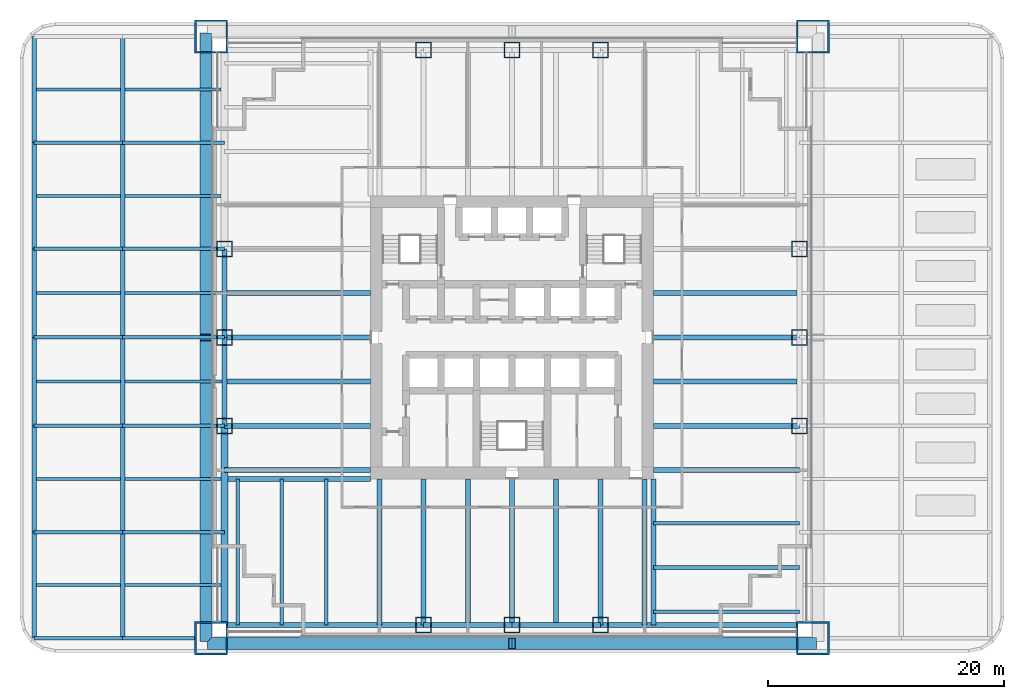
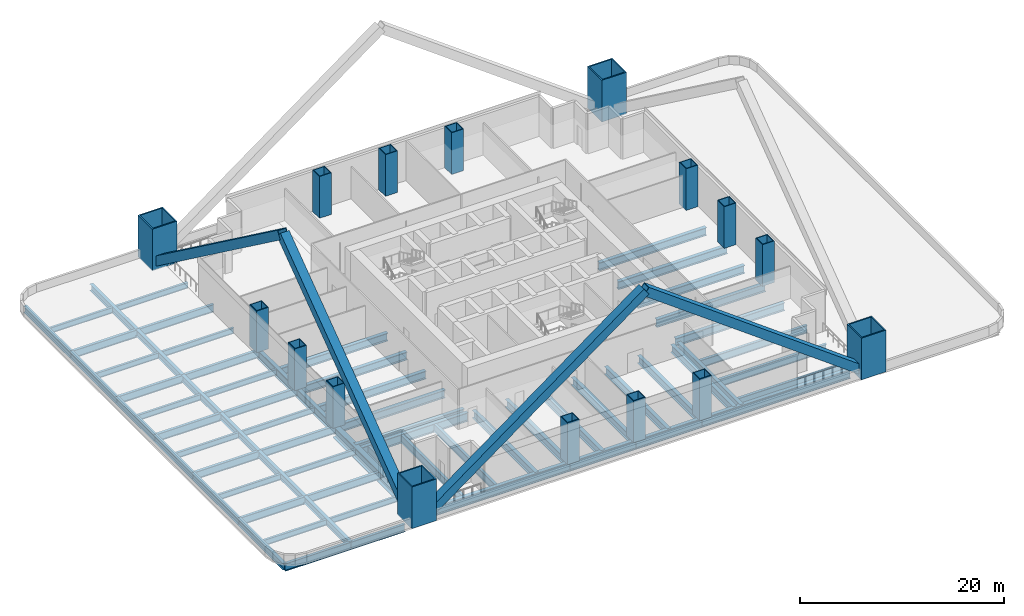
# One storey, part 1 of 10: 68 beams, 16 columns, 4 members.
"""IFC4 building model written with IfcOpenShell, lengths in metres."""

from ifc_helpers import new_model, si_unit, direction, frame, origin, origin_2d, place, context, subcontext, project, spatial, hollow_rectangle, i_section, extrude, material, material_profile, profile_set, type_object, element, save


model = new_model("IFC4")

# Units and contexts
model_context = context("Model", 3, precision=1e-05, world=origin(), true_north=direction((0.0, 1.0)))
body_context = subcontext(model_context, "Body", "Model", "MODEL_VIEW")
ifc_project = project(units=[si_unit("LENGTHUNIT", "METRE"), si_unit("AREAUNIT", "SQUARE_METRE"), si_unit("VOLUMEUNIT", "CUBIC_METRE"), si_unit("PLANEANGLEUNIT", "RADIAN"), si_unit("MASSUNIT", "GRAM", prefix="KILO")], contexts=[model_context])

# Site, building, storey
site_placement = place(None, origin())
site = spatial("IfcSite", under=ifc_project, at=site_placement, CompositionType="ELEMENT")
building_placement = place(site_placement, origin())
building = spatial("IfcBuilding", under=site, at=building_placement, Name="Tarangal Relay Tower", CompositionType="ELEMENT")
storey_placement = place(building_placement, frame((0.0, 0.0, 23.39990234375)))
storey = spatial("IfcBuildingStorey", under=building, at=storey_placement, Name="L04", CompositionType="ELEMENT", Elevation=23.39990234375)

# Columns
ifc_material_1 = material(Name="Steel ASTM A572 Grade 42", Category="steel")
ifc_material_profile_1 = material_profile(ifc_material_1, hollow_rectangle(XDim=2.800048828125, YDim=2.800048828125, WallThickness=0.139892578125, at=origin_2d()), Name="BOX2800X2800X140")
ifc_profile_set_1 = profile_set([ifc_material_profile_1], Name="Steel ASTM A572 Grade 42")
column_type_1 = type_object("IfcColumnType", Name="Mega column BOX2800X2800X140", PredefinedType="COLUMN", material=ifc_profile_set_1)
for number, where, z_axis, x_axis, name in (
    (1, (25.5, 25.5, 0.0), (0.0, 0.0, 1.0), (1.0, 0.0, 0.0), "Mega column MC1 NE L04"),
    (2, (25.5, -25.5, 0.0), (0.0, 0.0, 1.0), (1.0, 0.0, 0.0), "Mega column MC1 SE L04"),
    (3, (-25.5, -25.5, 0.0), (0.0, 0.0, 1.0), (1.0, 0.0, 0.0), "Mega column MC1 SW L04"),
    (4, (-25.5, 25.5, 0.0), (0.0, 0.0, 1.0), (1.0, 0.0, 0.0), "Mega column MC1 NW L04"),
):
    element("IfcColumn", number, at=place(storey_placement, frame(where, z_axis=z_axis, x_axis=x_axis)), inside=storey, type_object=column_type_1, Name=name, PredefinedType="COLUMN", context=body_context, shape_type="SweptSolid", body=[
        extrude(hollow_rectangle(XDim=2.800048828125, YDim=2.800048828125, WallThickness=0.139892578125, at=origin_2d()), origin(), (0.0, 0.0, 1.0), 5.0),
    ])
ifc_material_2 = material(Name="Steel ASTM A572 Grade 50", Category="steel")
ifc_material_profile_2 = material_profile(ifc_material_2, hollow_rectangle(XDim=1.35009765625, YDim=1.35009765625, WallThickness=0.0849609375, at=origin_2d()), Name="BOX1350X1350X85")
ifc_profile_set_2 = profile_set([ifc_material_profile_2], Name="Steel ASTM A572 Grade 50")
column_type_2 = type_object("IfcColumnType", Name="Perimeter column BOX1350X1350X85", PredefinedType="COLUMN", material=ifc_profile_set_2)
for number, where, z_axis, x_axis, name in (
    (5, (-7.5, 24.364990234375, 0.0), (0.0, 0.0, 1.0), (1.0, 0.0, 0.0), "Perimeter column PC2 N L04"),
    (6, (0.0, 24.364990234375, 0.0), (0.0, 0.0, 1.0), (1.0, 0.0, 0.0), "Perimeter column PC2 N L04"),
    (7, (7.5, 24.364990234375, 0.0), (0.0, 0.0, 1.0), (1.0, 0.0, 0.0), "Perimeter column PC2 N L04"),
    (8, (24.364990234375, 7.5, 0.0), (0.0, 0.0, 1.0), (1.0, 0.0, 0.0), "Perimeter column PC2 E L04"),
    (9, (24.364990234375, 0.0, 0.0), (0.0, 0.0, 1.0), (1.0, 0.0, 0.0), "Perimeter column PC2 E L04"),
    (10, (24.364990234375, -7.5, 0.0), (0.0, 0.0, 1.0), (1.0, 0.0, 0.0), "Perimeter column PC2 E L04"),
    (11, (7.5, -24.364990234375, 0.0), (0.0, 0.0, 1.0), (1.0, 0.0, 0.0), "Perimeter column PC2 S L04"),
    (12, (0.0, -24.364990234375, 0.0), (0.0, 0.0, 1.0), (1.0, 0.0, 0.0), "Perimeter column PC2 S L04"),
    (13, (-7.5, -24.364990234375, 0.0), (0.0, 0.0, 1.0), (1.0, 0.0, 0.0), "Perimeter column PC2 S L04"),
    (14, (-24.364990234375, -7.5, 0.0), (0.0, 0.0, 1.0), (1.0, 0.0, 0.0), "Perimeter column PC2 W L04"),
    (15, (-24.364990234375, 0.0, 0.0), (0.0, 0.0, 1.0), (1.0, 0.0, 0.0), "Perimeter column PC2 W L04"),
    (16, (-24.364990234375, 7.5, 0.0), (0.0, 0.0, 1.0), (1.0, 0.0, 0.0), "Perimeter column PC2 W L04"),
):
    element("IfcColumn", number, at=place(storey_placement, frame(where, z_axis=z_axis, x_axis=x_axis)), inside=storey, type_object=column_type_2, Name=name, PredefinedType="COLUMN", context=body_context, shape_type="SweptSolid", body=[
        extrude(hollow_rectangle(XDim=1.35009765625, YDim=1.35009765625, WallThickness=0.0849609375, at=origin_2d()), origin(), (0.0, 0.0, 1.0), 5.0),
    ])

# Beams
ifc_material_3 = material(Name="Steel ASTM A992", Category="steel")
ifc_material_profile_3 = material_profile(ifc_material_3, i_section(OverallWidth=0.307373046875, OverallDepth=0.927001953125, WebThickness=0.019287109375, FlangeThickness=0.031982421875, at=origin_2d()), Name="W36X194")
ifc_profile_set_3 = profile_set([ifc_material_profile_3], Name="Steel ASTM A992")
beam_type_1 = type_object("IfcBeamType", Name="Corner beam W36X194", PredefinedType="JOIST", material=ifc_profile_set_3)
for number, where, z_axis, x_axis, name in (
    (17, (12.0, -15.75, -0.66357421875), (1.0, 0.0, 0.0), (0.0, 1.0, 0.0), "Corner beam CB10 E L04"),
    (18, (12.0, -19.5, -0.66357421875), (1.0, 0.0, 0.0), (0.0, 1.0, 0.0), "Corner beam CB10 E L04"),
    (19, (12.0, -23.25, -0.66357421875), (1.0, 0.0, 0.0), (0.0, 1.0, 0.0), "Corner beam CB10 E L04"),
    (20, (-15.75, -12.0, -0.66357421875), (0.0, -1.0, 0.0), (1.0, 0.0, 0.0), "Corner beam CB10 S L04"),
    (21, (-19.5, -12.0, -0.66357421875), (0.0, -1.0, 0.0), (1.0, 0.0, 0.0), "Corner beam CB10 S L04"),
    (22, (-23.25, -12.0, -0.66357421875), (0.0, -1.0, 0.0), (1.0, 0.0, 0.0), "Corner beam CB10 S L04"),
):
    element("IfcBeam", number, at=place(storey_placement, frame(where, z_axis=z_axis, x_axis=x_axis)), inside=storey, type_object=beam_type_1, Name=name, PredefinedType="JOIST", context=body_context, shape_type="SweptSolid", body=[
        extrude(i_section(OverallWidth=0.307373046875, OverallDepth=0.927001953125, WebThickness=0.019287109375, FlangeThickness=0.031982421875, at=origin_2d()), origin(), (0.0, 0.0, 1.0), 12.364990234375),
    ])
ifc_material_profile_4 = material_profile(ifc_material_3, i_section(OverallWidth=0.40380859375, OverallDepth=1.036376953125, WebThickness=0.031005859375, FlangeThickness=0.0458984375, at=origin_2d()), Name="W40X331")
ifc_profile_set_4 = profile_set([ifc_material_profile_4], Name="Steel ASTM A992")
beam_type_2 = type_object("IfcBeamType", Name="Corner girder W40X331", PredefinedType="BEAM", material=ifc_profile_set_4)
beam_1_placement = place(storey_placement, frame((12.0, -12.0, -0.718017578125), z_axis=(0.0, -1.0, 0.0), x_axis=(1.0, 0.0, 0.0)))
element("IfcBeam", 23, at=beam_1_placement, inside=storey, type_object=beam_type_2, Name="Corner girder CG2 E L04", PredefinedType="BEAM", context=body_context, shape_type="SweptSolid", body=[
    extrude(i_section(OverallWidth=0.40380859375, OverallDepth=1.036376953125, WebThickness=0.031005859375, FlangeThickness=0.0458984375, at=origin_2d()), origin(), (0.0, 0.0, 1.0), 12.364990234375),
])
beam_2_placement = place(storey_placement, frame((-12.0, -12.0, -0.718017578125), z_axis=(-1.0, 0.0, 0.0), x_axis=(0.0, -1.0, 0.0)))
element("IfcBeam", 24, at=beam_2_placement, inside=storey, type_object=beam_type_2, Name="Corner girder CG2 S L04", PredefinedType="BEAM", context=body_context, shape_type="SweptSolid", body=[
    extrude(i_section(OverallWidth=0.40380859375, OverallDepth=1.036376953125, WebThickness=0.031005859375, FlangeThickness=0.0458984375, at=origin_2d()), origin(), (0.0, 0.0, 1.0), 12.06494140625),
])
ifc_material_profile_5 = material_profile(ifc_material_3, i_section(OverallWidth=0.42431640625, OverallDepth=1.09228515625, WebThickness=0.04541015625, FlangeThickness=0.08203125, at=origin_2d()), Name="W40X593")
ifc_profile_set_5 = profile_set([ifc_material_profile_5], Name="Steel ASTM A992")
beam_type_3 = type_object("IfcBeamType", Name="Edge girder W40X593", PredefinedType="SPANDREL", material=ifc_profile_set_5)
beam_3_placement = place(storey_placement, frame((24.25, -24.364990234375, -0.74609375), z_axis=(-1.0, 0.0, 0.0), x_axis=(0.0, -1.0, 0.0)))
element("IfcBeam", 25, at=beam_3_placement, inside=storey, type_object=beam_type_3, Name="Edge girder EG9 S L04", PredefinedType="SPANDREL", context=body_context, shape_type="SweptSolid", body=[
    extrude(i_section(OverallWidth=0.42431640625, OverallDepth=1.09228515625, WebThickness=0.04541015625, FlangeThickness=0.08203125, at=origin_2d()), origin(), (0.0, 0.0, 1.0), 16.75),
])
for number, where, z_axis, x_axis, name in (
    (26, (7.5, -24.364990234375, -0.74609375), (-1.0, 0.0, 0.0), (0.0, -1.0, 0.0), "Edge girder EG9 S L04"),
    (27, (0.0, -24.364990234375, -0.74609375), (-1.0, 0.0, 0.0), (0.0, -1.0, 0.0), "Edge girder EG9 S L04"),
):
    element("IfcBeam", number, at=place(storey_placement, frame(where, z_axis=z_axis, x_axis=x_axis)), inside=storey, type_object=beam_type_3, Name=name, PredefinedType="SPANDREL", context=body_context, shape_type="SweptSolid", body=[
        extrude(i_section(OverallWidth=0.42431640625, OverallDepth=1.09228515625, WebThickness=0.04541015625, FlangeThickness=0.08203125, at=origin_2d()), origin(), (0.0, 0.0, 1.0), 7.5),
    ])
beam_4_placement = place(storey_placement, frame((-7.5, -24.364990234375, -0.74609375), z_axis=(-1.0, 0.0, 0.0), x_axis=(0.0, -1.0, 0.0)))
element("IfcBeam", 28, at=beam_4_placement, inside=storey, type_object=beam_type_3, Name="Edge girder EG9 S L04", PredefinedType="SPANDREL", context=body_context, shape_type="SweptSolid", body=[
    extrude(i_section(OverallWidth=0.42431640625, OverallDepth=1.09228515625, WebThickness=0.04541015625, FlangeThickness=0.08203125, at=origin_2d()), origin(), (0.0, 0.0, 1.0), 16.75),
])
for number, where, z_axis, x_axis, name in (
    (29, (-24.364990234375, -7.5, -0.74609375), (0.0, 1.0, 0.0), (-1.0, 0.0, 0.0), "Edge girder EG9 W L04"),
    (30, (-24.364990234375, 0.0, -0.74609375), (0.0, 1.0, 0.0), (-1.0, 0.0, 0.0), "Edge girder EG9 W L04"),
):
    element("IfcBeam", number, at=place(storey_placement, frame(where, z_axis=z_axis, x_axis=x_axis)), inside=storey, type_object=beam_type_3, Name=name, PredefinedType="SPANDREL", context=body_context, shape_type="SweptSolid", body=[
        extrude(i_section(OverallWidth=0.42431640625, OverallDepth=1.09228515625, WebThickness=0.04541015625, FlangeThickness=0.08203125, at=origin_2d()), origin(), (0.0, 0.0, 1.0), 7.5),
    ])
ifc_material_profile_6 = material_profile(ifc_material_3, i_section(OverallWidth=0.42431640625, OverallDepth=0.947509765625, WebThickness=0.02392578125, FlangeThickness=0.042724609375, at=origin_2d()), Name="W36X302")
ifc_profile_set_6 = profile_set([ifc_material_profile_6], Name="Steel ASTM A992")
beam_type_4 = type_object("IfcBeamType", Name="Floor beam W36X302", PredefinedType="BEAM", material=ifc_profile_set_6)
beam_5_placement = place(storey_placement, frame((12.0, 3.75, -0.673583984375), z_axis=(1.0, 0.0, 0.0), x_axis=(0.0, 1.0, 0.0)))
element("IfcBeam", 31, at=beam_5_placement, inside=storey, type_object=beam_type_4, Name="Floor beam RB10 E L04", PredefinedType="BEAM", context=body_context, shape_type="SweptSolid", body=[
    extrude(i_section(OverallWidth=0.42431640625, OverallDepth=0.947509765625, WebThickness=0.02392578125, FlangeThickness=0.042724609375, at=origin_2d()), origin(), (0.0, 0.0, 1.0), 12.153076171875),
])
beam_6_placement = place(storey_placement, frame((12.0, 0.0, -0.673583984375), z_axis=(1.0, 0.0, 0.0), x_axis=(0.0, 1.0, 0.0)))
element("IfcBeam", 32, at=beam_6_placement, inside=storey, type_object=beam_type_4, Name="Floor beam RB10 E L04", PredefinedType="BEAM", context=body_context, shape_type="SweptSolid", body=[
    extrude(i_section(OverallWidth=0.42431640625, OverallDepth=0.947509765625, WebThickness=0.02392578125, FlangeThickness=0.042724609375, at=origin_2d()), origin(), (0.0, 0.0, 1.0), 12.364990234375),
])
beam_7_placement = place(storey_placement, frame((12.0, -3.75, -0.673583984375), z_axis=(1.0, 0.0, 0.0), x_axis=(0.0, 1.0, 0.0)))
element("IfcBeam", 33, at=beam_7_placement, inside=storey, type_object=beam_type_4, Name="Floor beam RB10 E L04", PredefinedType="BEAM", context=body_context, shape_type="SweptSolid", body=[
    extrude(i_section(OverallWidth=0.42431640625, OverallDepth=0.947509765625, WebThickness=0.02392578125, FlangeThickness=0.042724609375, at=origin_2d()), origin(), (0.0, 0.0, 1.0), 12.153076171875),
])
for number, where, z_axis, x_axis, name in (
    (34, (12.0, -7.5, -0.673583984375), (1.0, 0.0, 0.0), (0.0, 1.0, 0.0), "Floor beam RB10 E L04"),
    (35, (12.0, -11.25, -0.673583984375), (1.0, 0.0, 0.0), (0.0, 1.0, 0.0), "Floor beam RB10 E L04"),
    (36, (11.25, -12.0, -0.673583984375), (0.0, -1.0, 0.0), (1.0, 0.0, 0.0), "Floor beam RB10 S L04"),
    (37, (7.5, -12.0, -0.673583984375), (0.0, -1.0, 0.0), (1.0, 0.0, 0.0), "Floor beam RB10 S L04"),
    (38, (3.75, -12.0, -0.673583984375), (0.0, -1.0, 0.0), (1.0, 0.0, 0.0), "Floor beam RB10 S L04"),
    (39, (0.0, -12.0, -0.673583984375), (0.0, -1.0, 0.0), (1.0, 0.0, 0.0), "Floor beam RB10 S L04"),
    (40, (-3.75, -12.0, -0.673583984375), (0.0, -1.0, 0.0), (1.0, 0.0, 0.0), "Floor beam RB10 S L04"),
    (41, (-7.5, -12.0, -0.673583984375), (0.0, -1.0, 0.0), (1.0, 0.0, 0.0), "Floor beam RB10 S L04"),
    (42, (-11.25, -12.0, -0.673583984375), (0.0, -1.0, 0.0), (1.0, 0.0, 0.0), "Floor beam RB10 S L04"),
    (43, (-12.0, -11.25, -0.673583984375), (-1.0, 0.0, 0.0), (0.0, -1.0, 0.0), "Floor beam RB10 W L04"),
    (44, (-12.0, -7.5, -0.673583984375), (-1.0, 0.0, 0.0), (0.0, -1.0, 0.0), "Floor beam RB10 W L04"),
):
    element("IfcBeam", number, at=place(storey_placement, frame(where, z_axis=z_axis, x_axis=x_axis)), inside=storey, type_object=beam_type_4, Name=name, PredefinedType="BEAM", context=body_context, shape_type="SweptSolid", body=[
        extrude(i_section(OverallWidth=0.42431640625, OverallDepth=0.947509765625, WebThickness=0.02392578125, FlangeThickness=0.042724609375, at=origin_2d()), origin(), (0.0, 0.0, 1.0), 12.364990234375),
    ])
beam_8_placement = place(storey_placement, frame((-12.0, -3.75, -0.673583984375), z_axis=(-1.0, 0.0, 0.0), x_axis=(0.0, -1.0, 0.0)))
element("IfcBeam", 45, at=beam_8_placement, inside=storey, type_object=beam_type_4, Name="Floor beam RB10 W L04", PredefinedType="BEAM", context=body_context, shape_type="SweptSolid", body=[
    extrude(i_section(OverallWidth=0.42431640625, OverallDepth=0.947509765625, WebThickness=0.02392578125, FlangeThickness=0.042724609375, at=origin_2d()), origin(), (0.0, 0.0, 1.0), 12.153076171875),
])
beam_9_placement = place(storey_placement, frame((-12.0, 0.0, -0.673583984375), z_axis=(-1.0, 0.0, 0.0), x_axis=(0.0, -1.0, 0.0)))
element("IfcBeam", 46, at=beam_9_placement, inside=storey, type_object=beam_type_4, Name="Floor beam RB10 W L04", PredefinedType="BEAM", context=body_context, shape_type="SweptSolid", body=[
    extrude(i_section(OverallWidth=0.42431640625, OverallDepth=0.947509765625, WebThickness=0.02392578125, FlangeThickness=0.042724609375, at=origin_2d()), origin(), (0.0, 0.0, 1.0), 12.364990234375),
])
beam_10_placement = place(storey_placement, frame((-12.0, 3.75, -0.673583984375), z_axis=(-1.0, 0.0, 0.0), x_axis=(0.0, -1.0, 0.0)))
element("IfcBeam", 47, at=beam_10_placement, inside=storey, type_object=beam_type_4, Name="Floor beam RB10 W L04", PredefinedType="BEAM", context=body_context, shape_type="SweptSolid", body=[
    extrude(i_section(OverallWidth=0.42431640625, OverallDepth=0.947509765625, WebThickness=0.02392578125, FlangeThickness=0.042724609375, at=origin_2d()), origin(), (0.0, 0.0, 1.0), 12.153076171875),
])

# Members
ifc_material_profile_7 = material_profile(ifc_material_2, hollow_rectangle(XDim=1.0, YDim=1.0, WallThickness=0.06005859375, at=origin_2d()), Name="BOX1000X1000X60")
ifc_profile_set_7 = profile_set([ifc_material_profile_7], Name="Steel ASTM A572 Grade 50")
member_type = type_object("IfcMemberType", Name="Mega brace BOX1000X1000X60", PredefinedType="BRACE", material=ifc_profile_set_7)
for number, where, z_axis, x_axis, name in (
    (48, (25.5, -25.949951171875, 0.0), (-0.805651012649, 0.0, 0.592390450478), (0.0, -1.0, 0.0), "Mega brace MB1 S face module 1"),
    (49, (-25.5, -25.949951171875, 0.0), (0.805651012649, 0.0, 0.592390450478), (0.0, 1.0, 0.0), "Mega brace MB1 S face module 1"),
    (50, (-25.949951171875, -25.5, 0.0), (0.0, 0.805651012649, 0.592390450478), (-1.0, 0.0, 0.0), "Mega brace MB1 W face module 1"),
    (51, (-25.949951171875, 25.5, 0.0), (0.0, -0.805651012649, 0.592390450478), (1.0, 0.0, 0.0), "Mega brace MB1 W face module 1"),
):
    element("IfcMember", number, at=place(storey_placement, frame(where, z_axis=z_axis, x_axis=x_axis)), inside=storey, type_object=member_type, Name=name, PredefinedType="BRACE", context=body_context, shape_type="SweptSolid", body=[
        extrude(hollow_rectangle(XDim=1.0, YDim=1.0, WallThickness=0.06005859375, at=origin_2d()), origin(), (0.0, 0.0, 1.0), 31.6513671875),
    ])

# Beams
ifc_material_profile_8 = material_profile(ifc_material_3, i_section(OverallWidth=0.3046875, OverallDepth=0.911865234375, WebThickness=0.015869140625, FlangeThickness=0.02392578125, at=origin_2d()), Name="W36X150")
ifc_profile_set_8 = profile_set([ifc_material_profile_8], Name="Steel ASTM A992")
beam_type_5 = type_object("IfcBeamType", Name="Podium beam W36X150", PredefinedType="BEAM", material=ifc_profile_set_8)
beam_11_placement = place(storey_placement, frame((-26.89990234375, -25.5, -0.656005859375), z_axis=(-1.0, 0.0, 0.0), x_axis=(0.0, -1.0, 0.0)))
element("IfcBeam", 52, at=beam_11_placement, inside=storey, type_object=beam_type_5, Name="Podium beam PB1 L04", PredefinedType="BEAM", context=body_context, shape_type="SweptSolid", body=[
    extrude(i_section(OverallWidth=0.3046875, OverallDepth=0.911865234375, WebThickness=0.015869140625, FlangeThickness=0.02392578125, at=origin_2d()), origin(), (0.0, 0.0, 1.0), 6.10009765625),
])
beam_12_placement = place(storey_placement, frame((-33.0, -25.5, -0.656005859375), z_axis=(-1.0, 0.0, 0.0), x_axis=(0.0, -1.0, 0.0)))
element("IfcBeam", 53, at=beam_12_placement, inside=storey, type_object=beam_type_5, Name="Podium beam PB1 L04", PredefinedType="BEAM", context=body_context, shape_type="SweptSolid", body=[
    extrude(i_section(OverallWidth=0.3046875, OverallDepth=0.911865234375, WebThickness=0.015869140625, FlangeThickness=0.02392578125, at=origin_2d()), origin(), (0.0, 0.0, 1.0), 7.5),
])
beam_13_placement = place(storey_placement, frame((-24.364990234375, -16.5, -0.656005859375), z_axis=(-1.0, 0.0, 0.0), x_axis=(0.0, -1.0, 0.0)))
element("IfcBeam", 54, at=beam_13_placement, inside=storey, type_object=beam_type_5, Name="Podium beam PB1 L04", PredefinedType="BEAM", context=body_context, shape_type="SweptSolid", body=[
    extrude(i_section(OverallWidth=0.3046875, OverallDepth=0.911865234375, WebThickness=0.015869140625, FlangeThickness=0.02392578125, at=origin_2d()), origin(), (0.0, 0.0, 1.0), 8.635009765625),
])
beam_14_placement = place(storey_placement, frame((-33.0, -16.5, -0.656005859375), z_axis=(-1.0, 0.0, 0.0), x_axis=(0.0, -1.0, 0.0)))
element("IfcBeam", 55, at=beam_14_placement, inside=storey, type_object=beam_type_5, Name="Podium beam PB1 L04", PredefinedType="BEAM", context=body_context, shape_type="SweptSolid", body=[
    extrude(i_section(OverallWidth=0.3046875, OverallDepth=0.911865234375, WebThickness=0.015869140625, FlangeThickness=0.02392578125, at=origin_2d()), origin(), (0.0, 0.0, 1.0), 7.5),
])
beam_15_placement = place(storey_placement, frame((-24.364990234375, -7.5, -0.656005859375), z_axis=(-1.0, 0.0, 0.0), x_axis=(0.0, -1.0, 0.0)))
element("IfcBeam", 56, at=beam_15_placement, inside=storey, type_object=beam_type_5, Name="Podium beam PB1 L04", PredefinedType="BEAM", context=body_context, shape_type="SweptSolid", body=[
    extrude(i_section(OverallWidth=0.3046875, OverallDepth=0.911865234375, WebThickness=0.015869140625, FlangeThickness=0.02392578125, at=origin_2d()), origin(), (0.0, 0.0, 1.0), 8.635009765625),
])
beam_16_placement = place(storey_placement, frame((-33.0, -7.5, -0.656005859375), z_axis=(-1.0, 0.0, 0.0), x_axis=(0.0, -1.0, 0.0)))
element("IfcBeam", 57, at=beam_16_placement, inside=storey, type_object=beam_type_5, Name="Podium beam PB1 L04", PredefinedType="BEAM", context=body_context, shape_type="SweptSolid", body=[
    extrude(i_section(OverallWidth=0.3046875, OverallDepth=0.911865234375, WebThickness=0.015869140625, FlangeThickness=0.02392578125, at=origin_2d()), origin(), (0.0, 0.0, 1.0), 7.5),
])
beam_17_placement = place(storey_placement, frame((-24.364990234375, 0.0, -0.656005859375), z_axis=(-1.0, 0.0, 0.0), x_axis=(0.0, -1.0, 0.0)))
element("IfcBeam", 58, at=beam_17_placement, inside=storey, type_object=beam_type_5, Name="Podium beam PB1 L04", PredefinedType="BEAM", context=body_context, shape_type="SweptSolid", body=[
    extrude(i_section(OverallWidth=0.3046875, OverallDepth=0.911865234375, WebThickness=0.015869140625, FlangeThickness=0.02392578125, at=origin_2d()), origin(), (0.0, 0.0, 1.0), 8.635009765625),
])
beam_18_placement = place(storey_placement, frame((-33.0, 0.0, -0.656005859375), z_axis=(-1.0, 0.0, 0.0), x_axis=(0.0, -1.0, 0.0)))
element("IfcBeam", 59, at=beam_18_placement, inside=storey, type_object=beam_type_5, Name="Podium beam PB1 L04", PredefinedType="BEAM", context=body_context, shape_type="SweptSolid", body=[
    extrude(i_section(OverallWidth=0.3046875, OverallDepth=0.911865234375, WebThickness=0.015869140625, FlangeThickness=0.02392578125, at=origin_2d()), origin(), (0.0, 0.0, 1.0), 7.5),
])
beam_19_placement = place(storey_placement, frame((-24.364990234375, 7.5, -0.656005859375), z_axis=(-1.0, 0.0, 0.0), x_axis=(0.0, -1.0, 0.0)))
element("IfcBeam", 60, at=beam_19_placement, inside=storey, type_object=beam_type_5, Name="Podium beam PB1 L04", PredefinedType="BEAM", context=body_context, shape_type="SweptSolid", body=[
    extrude(i_section(OverallWidth=0.3046875, OverallDepth=0.911865234375, WebThickness=0.015869140625, FlangeThickness=0.02392578125, at=origin_2d()), origin(), (0.0, 0.0, 1.0), 8.635009765625),
])
beam_20_placement = place(storey_placement, frame((-33.0, 7.5, -0.656005859375), z_axis=(-1.0, 0.0, 0.0), x_axis=(0.0, -1.0, 0.0)))
element("IfcBeam", 61, at=beam_20_placement, inside=storey, type_object=beam_type_5, Name="Podium beam PB1 L04", PredefinedType="BEAM", context=body_context, shape_type="SweptSolid", body=[
    extrude(i_section(OverallWidth=0.3046875, OverallDepth=0.911865234375, WebThickness=0.015869140625, FlangeThickness=0.02392578125, at=origin_2d()), origin(), (0.0, 0.0, 1.0), 7.5),
])
beam_21_placement = place(storey_placement, frame((-24.364990234375, 16.5, -0.656005859375), z_axis=(-1.0, 0.0, 0.0), x_axis=(0.0, -1.0, 0.0)))
element("IfcBeam", 62, at=beam_21_placement, inside=storey, type_object=beam_type_5, Name="Podium beam PB1 L04", PredefinedType="BEAM", context=body_context, shape_type="SweptSolid", body=[
    extrude(i_section(OverallWidth=0.3046875, OverallDepth=0.911865234375, WebThickness=0.015869140625, FlangeThickness=0.02392578125, at=origin_2d()), origin(), (0.0, 0.0, 1.0), 8.635009765625),
])
beam_22_placement = place(storey_placement, frame((-33.0, 16.5, -0.656005859375), z_axis=(-1.0, 0.0, 0.0), x_axis=(0.0, -1.0, 0.0)))
element("IfcBeam", 63, at=beam_22_placement, inside=storey, type_object=beam_type_5, Name="Podium beam PB1 L04", PredefinedType="BEAM", context=body_context, shape_type="SweptSolid", body=[
    extrude(i_section(OverallWidth=0.3046875, OverallDepth=0.911865234375, WebThickness=0.015869140625, FlangeThickness=0.02392578125, at=origin_2d()), origin(), (0.0, 0.0, 1.0), 7.5),
])
ifc_material_profile_9 = material_profile(ifc_material_3, i_section(OverallWidth=0.383544921875, OverallDepth=0.784912109375, WebThickness=0.019775390625, FlangeThickness=0.033447265625, at=origin_2d()), Name="W30X211")
ifc_profile_set_9 = profile_set([ifc_material_profile_9], Name="Steel ASTM A992")
beam_type_6 = type_object("IfcBeamType", Name="Podium girder W30X211", PredefinedType="BEAM", material=ifc_profile_set_9)
for number, where, z_axis, x_axis, name in (
    (64, (-33.0, -25.5, -0.59228515625), (0.0, 1.0, 0.0), (-1.0, 0.0, 0.0), "Podium girder PG1 L04"),
    (65, (-33.0, -16.5, -0.59228515625), (0.0, 1.0, 0.0), (-1.0, 0.0, 0.0), "Podium girder PG1 L04"),
):
    element("IfcBeam", number, at=place(storey_placement, frame(where, z_axis=z_axis, x_axis=x_axis)), inside=storey, type_object=beam_type_6, Name=name, PredefinedType="BEAM", context=body_context, shape_type="SweptSolid", body=[
        extrude(i_section(OverallWidth=0.383544921875, OverallDepth=0.784912109375, WebThickness=0.019775390625, FlangeThickness=0.033447265625, at=origin_2d()), origin(), (0.0, 0.0, 1.0), 9.0),
    ])
for number, where, z_axis, x_axis, name in (
    (66, (-33.0, -7.5, -0.59228515625), (0.0, 1.0, 0.0), (-1.0, 0.0, 0.0), "Podium girder PG1 L04"),
    (67, (-33.0, 0.0, -0.59228515625), (0.0, 1.0, 0.0), (-1.0, 0.0, 0.0), "Podium girder PG1 L04"),
):
    element("IfcBeam", number, at=place(storey_placement, frame(where, z_axis=z_axis, x_axis=x_axis)), inside=storey, type_object=beam_type_6, Name=name, PredefinedType="BEAM", context=body_context, shape_type="SweptSolid", body=[
        extrude(i_section(OverallWidth=0.383544921875, OverallDepth=0.784912109375, WebThickness=0.019775390625, FlangeThickness=0.033447265625, at=origin_2d()), origin(), (0.0, 0.0, 1.0), 7.5),
    ])
for number, where, z_axis, x_axis, name in (
    (68, (-33.0, 7.5, -0.59228515625), (0.0, 1.0, 0.0), (-1.0, 0.0, 0.0), "Podium girder PG1 L04"),
    (69, (-33.0, 16.5, -0.59228515625), (0.0, 1.0, 0.0), (-1.0, 0.0, 0.0), "Podium girder PG1 L04"),
    (70, (-40.5, -25.5, -0.59228515625), (0.0, 1.0, 0.0), (-1.0, 0.0, 0.0), "Podium girder PG1 L04"),
    (71, (-40.5, -16.5, -0.59228515625), (0.0, 1.0, 0.0), (-1.0, 0.0, 0.0), "Podium girder PG1 L04"),
):
    element("IfcBeam", number, at=place(storey_placement, frame(where, z_axis=z_axis, x_axis=x_axis)), inside=storey, type_object=beam_type_6, Name=name, PredefinedType="BEAM", context=body_context, shape_type="SweptSolid", body=[
        extrude(i_section(OverallWidth=0.383544921875, OverallDepth=0.784912109375, WebThickness=0.019775390625, FlangeThickness=0.033447265625, at=origin_2d()), origin(), (0.0, 0.0, 1.0), 9.0),
    ])
for number, where, z_axis, x_axis, name in (
    (72, (-40.5, -7.5, -0.59228515625), (0.0, 1.0, 0.0), (-1.0, 0.0, 0.0), "Podium girder PG1 L04"),
    (73, (-40.5, 0.0, -0.59228515625), (0.0, 1.0, 0.0), (-1.0, 0.0, 0.0), "Podium girder PG1 L04"),
):
    element("IfcBeam", number, at=place(storey_placement, frame(where, z_axis=z_axis, x_axis=x_axis)), inside=storey, type_object=beam_type_6, Name=name, PredefinedType="BEAM", context=body_context, shape_type="SweptSolid", body=[
        extrude(i_section(OverallWidth=0.383544921875, OverallDepth=0.784912109375, WebThickness=0.019775390625, FlangeThickness=0.033447265625, at=origin_2d()), origin(), (0.0, 0.0, 1.0), 7.5),
    ])
for number, where, z_axis, x_axis, name in (
    (74, (-40.5, 7.5, -0.59228515625), (0.0, 1.0, 0.0), (-1.0, 0.0, 0.0), "Podium girder PG1 L04"),
    (75, (-40.5, 16.5, -0.59228515625), (0.0, 1.0, 0.0), (-1.0, 0.0, 0.0), "Podium girder PG1 L04"),
):
    element("IfcBeam", number, at=place(storey_placement, frame(where, z_axis=z_axis, x_axis=x_axis)), inside=storey, type_object=beam_type_6, Name=name, PredefinedType="BEAM", context=body_context, shape_type="SweptSolid", body=[
        extrude(i_section(OverallWidth=0.383544921875, OverallDepth=0.784912109375, WebThickness=0.019775390625, FlangeThickness=0.033447265625, at=origin_2d()), origin(), (0.0, 0.0, 1.0), 9.0),
    ])
ifc_material_profile_10 = material_profile(ifc_material_3, i_section(OverallWidth=0.25390625, OverallDepth=0.683349609375, WebThickness=0.012451171875, FlangeThickness=0.018798828125, at=origin_2d()), Name="W27X94")
ifc_profile_set_10 = profile_set([ifc_material_profile_10], Name="Steel ASTM A992")
beam_type_7 = type_object("IfcBeamType", Name="Podium joist W27X94", PredefinedType="JOIST", material=ifc_profile_set_10)
beam_23_placement = place(storey_placement, frame((-24.6650390625, -21.0, -0.54150390625), z_axis=(-1.0, 0.0, 0.0), x_axis=(0.0, -1.0, 0.0)))
element("IfcBeam", 76, at=beam_23_placement, inside=storey, type_object=beam_type_7, Name="Podium joist PJ1 L04", PredefinedType="JOIST", context=body_context, shape_type="SweptSolid", body=[
    extrude(i_section(OverallWidth=0.25390625, OverallDepth=0.683349609375, WebThickness=0.012451171875, FlangeThickness=0.018798828125, at=origin_2d()), origin(), (0.0, 0.0, 1.0), 8.14404296875),
])
beam_24_placement = place(storey_placement, frame((-33.19091796875, -21.0, -0.54150390625), z_axis=(-1.0, 0.0, 0.0), x_axis=(0.0, -1.0, 0.0)))
element("IfcBeam", 77, at=beam_24_placement, inside=storey, type_object=beam_type_7, Name="Podium joist PJ1 L04", PredefinedType="JOIST", context=body_context, shape_type="SweptSolid", body=[
    extrude(i_section(OverallWidth=0.25390625, OverallDepth=0.683349609375, WebThickness=0.012451171875, FlangeThickness=0.018798828125, at=origin_2d()), origin(), (0.0, 0.0, 1.0), 7.1181640625),
])
beam_25_placement = place(storey_placement, frame((-24.6650390625, -12.0, -0.54150390625), z_axis=(-1.0, 0.0, 0.0), x_axis=(0.0, -1.0, 0.0)))
element("IfcBeam", 78, at=beam_25_placement, inside=storey, type_object=beam_type_7, Name="Podium joist PJ1 L04", PredefinedType="JOIST", context=body_context, shape_type="SweptSolid", body=[
    extrude(i_section(OverallWidth=0.25390625, OverallDepth=0.683349609375, WebThickness=0.012451171875, FlangeThickness=0.018798828125, at=origin_2d()), origin(), (0.0, 0.0, 1.0), 8.14404296875),
])
beam_26_placement = place(storey_placement, frame((-33.19091796875, -12.0, -0.54150390625), z_axis=(-1.0, 0.0, 0.0), x_axis=(0.0, -1.0, 0.0)))
element("IfcBeam", 79, at=beam_26_placement, inside=storey, type_object=beam_type_7, Name="Podium joist PJ1 L04", PredefinedType="JOIST", context=body_context, shape_type="SweptSolid", body=[
    extrude(i_section(OverallWidth=0.25390625, OverallDepth=0.683349609375, WebThickness=0.012451171875, FlangeThickness=0.018798828125, at=origin_2d()), origin(), (0.0, 0.0, 1.0), 7.1181640625),
])
beam_27_placement = place(storey_placement, frame((-24.576904296875, -3.75, -0.54150390625), z_axis=(-1.0, 0.0, 0.0), x_axis=(0.0, -1.0, 0.0)))
element("IfcBeam", 80, at=beam_27_placement, inside=storey, type_object=beam_type_7, Name="Podium joist PJ1 L04", PredefinedType="JOIST", context=body_context, shape_type="SweptSolid", body=[
    extrude(i_section(OverallWidth=0.25390625, OverallDepth=0.683349609375, WebThickness=0.012451171875, FlangeThickness=0.018798828125, at=origin_2d()), origin(), (0.0, 0.0, 1.0), 8.232177734375),
])
beam_28_placement = place(storey_placement, frame((-33.19091796875, -3.75, -0.54150390625), z_axis=(-1.0, 0.0, 0.0), x_axis=(0.0, -1.0, 0.0)))
element("IfcBeam", 81, at=beam_28_placement, inside=storey, type_object=beam_type_7, Name="Podium joist PJ1 L04", PredefinedType="JOIST", context=body_context, shape_type="SweptSolid", body=[
    extrude(i_section(OverallWidth=0.25390625, OverallDepth=0.683349609375, WebThickness=0.012451171875, FlangeThickness=0.018798828125, at=origin_2d()), origin(), (0.0, 0.0, 1.0), 7.1181640625),
])
beam_29_placement = place(storey_placement, frame((-24.576904296875, 3.75, -0.54150390625), z_axis=(-1.0, 0.0, 0.0), x_axis=(0.0, -1.0, 0.0)))
element("IfcBeam", 82, at=beam_29_placement, inside=storey, type_object=beam_type_7, Name="Podium joist PJ1 L04", PredefinedType="JOIST", context=body_context, shape_type="SweptSolid", body=[
    extrude(i_section(OverallWidth=0.25390625, OverallDepth=0.683349609375, WebThickness=0.012451171875, FlangeThickness=0.018798828125, at=origin_2d()), origin(), (0.0, 0.0, 1.0), 8.232177734375),
])
beam_30_placement = place(storey_placement, frame((-33.19091796875, 3.75, -0.54150390625), z_axis=(-1.0, 0.0, 0.0), x_axis=(0.0, -1.0, 0.0)))
element("IfcBeam", 83, at=beam_30_placement, inside=storey, type_object=beam_type_7, Name="Podium joist PJ1 L04", PredefinedType="JOIST", context=body_context, shape_type="SweptSolid", body=[
    extrude(i_section(OverallWidth=0.25390625, OverallDepth=0.683349609375, WebThickness=0.012451171875, FlangeThickness=0.018798828125, at=origin_2d()), origin(), (0.0, 0.0, 1.0), 7.1181640625),
])
beam_31_placement = place(storey_placement, frame((-24.6650390625, 12.0, -0.54150390625), z_axis=(-1.0, 0.0, 0.0), x_axis=(0.0, -1.0, 0.0)))
element("IfcBeam", 84, at=beam_31_placement, inside=storey, type_object=beam_type_7, Name="Podium joist PJ1 L04", PredefinedType="JOIST", context=body_context, shape_type="SweptSolid", body=[
    extrude(i_section(OverallWidth=0.25390625, OverallDepth=0.683349609375, WebThickness=0.012451171875, FlangeThickness=0.018798828125, at=origin_2d()), origin(), (0.0, 0.0, 1.0), 8.14404296875),
])
beam_32_placement = place(storey_placement, frame((-33.19091796875, 12.0, -0.54150390625), z_axis=(-1.0, 0.0, 0.0), x_axis=(0.0, -1.0, 0.0)))
element("IfcBeam", 85, at=beam_32_placement, inside=storey, type_object=beam_type_7, Name="Podium joist PJ1 L04", PredefinedType="JOIST", context=body_context, shape_type="SweptSolid", body=[
    extrude(i_section(OverallWidth=0.25390625, OverallDepth=0.683349609375, WebThickness=0.012451171875, FlangeThickness=0.018798828125, at=origin_2d()), origin(), (0.0, 0.0, 1.0), 7.1181640625),
])
beam_33_placement = place(storey_placement, frame((-24.6650390625, 21.0, -0.54150390625), z_axis=(-1.0, 0.0, 0.0), x_axis=(0.0, -1.0, 0.0)))
element("IfcBeam", 86, at=beam_33_placement, inside=storey, type_object=beam_type_7, Name="Podium joist PJ1 L04", PredefinedType="JOIST", context=body_context, shape_type="SweptSolid", body=[
    extrude(i_section(OverallWidth=0.25390625, OverallDepth=0.683349609375, WebThickness=0.012451171875, FlangeThickness=0.018798828125, at=origin_2d()), origin(), (0.0, 0.0, 1.0), 8.14404296875),
])
beam_34_placement = place(storey_placement, frame((-33.19091796875, 21.0, -0.54150390625), z_axis=(-1.0, 0.0, 0.0), x_axis=(0.0, -1.0, 0.0)))
element("IfcBeam", 87, at=beam_34_placement, inside=storey, type_object=beam_type_7, Name="Podium joist PJ1 L04", PredefinedType="JOIST", context=body_context, shape_type="SweptSolid", body=[
    extrude(i_section(OverallWidth=0.25390625, OverallDepth=0.683349609375, WebThickness=0.012451171875, FlangeThickness=0.018798828125, at=origin_2d()), origin(), (0.0, 0.0, 1.0), 7.1181640625),
])
ifc_material_profile_11 = material_profile(ifc_material_2, i_section(OverallWidth=0.60009765625, OverallDepth=1.39990234375, WebThickness=0.030029296875, FlangeThickness=0.080078125, at=origin_2d()), Name="PG1400X600X80X30")
ifc_profile_set_11 = profile_set([ifc_material_profile_11], Name="Steel ASTM A572 Grade 50")
beam_type_8 = type_object("IfcBeamType", Name="Transfer girder PG1400X600X80X30", PredefinedType="SPANDREL", material=ifc_profile_set_11)
beam_35_placement = place(storey_placement, frame((-24.364990234375, -24.25, -0.89990234375), z_axis=(0.0, 1.0, 0.0), x_axis=(-1.0, 0.0, 0.0)))
element("IfcBeam", 88, at=beam_35_placement, inside=storey, type_object=beam_type_8, Name="Transfer girder TG1 W L04", PredefinedType="SPANDREL", context=body_context, shape_type="SweptSolid", body=[
    extrude(i_section(OverallWidth=0.60009765625, OverallDepth=1.39990234375, WebThickness=0.030029296875, FlangeThickness=0.080078125, at=origin_2d()), origin(), (0.0, 0.0, 1.0), 16.75),
])

save(model, "model.ifc")
